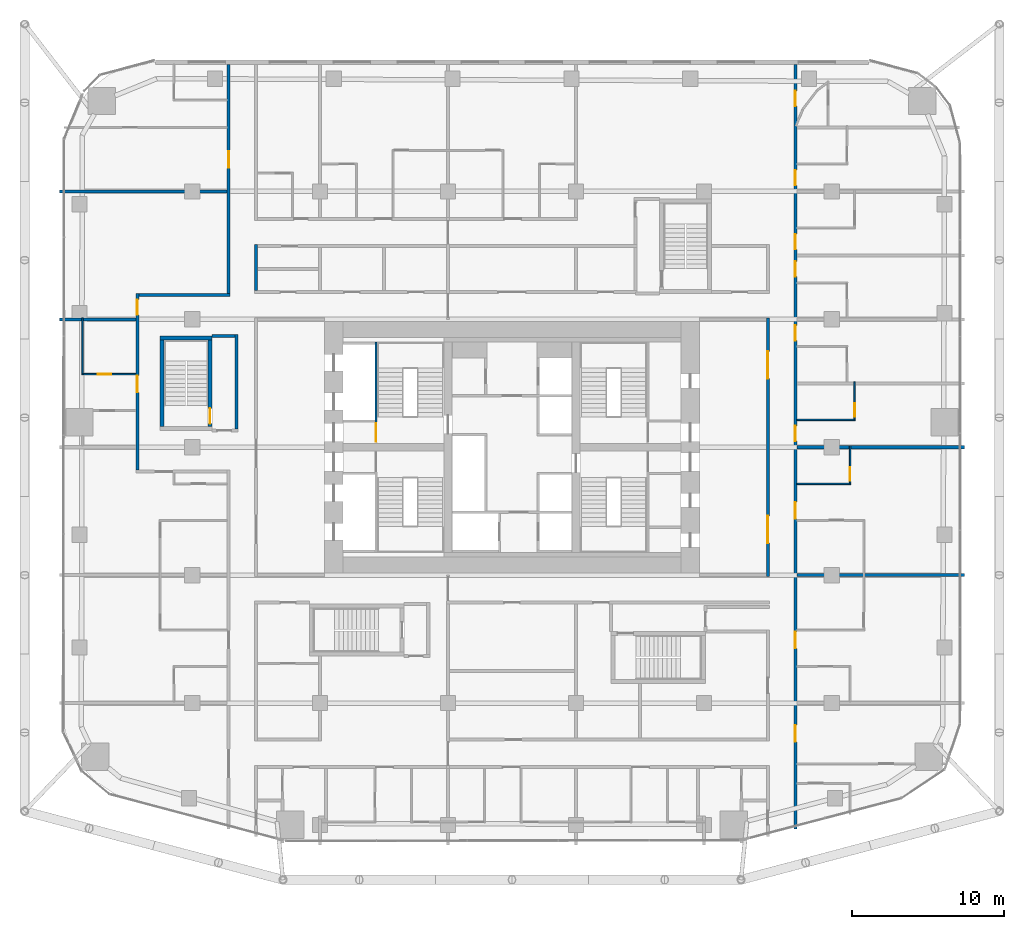
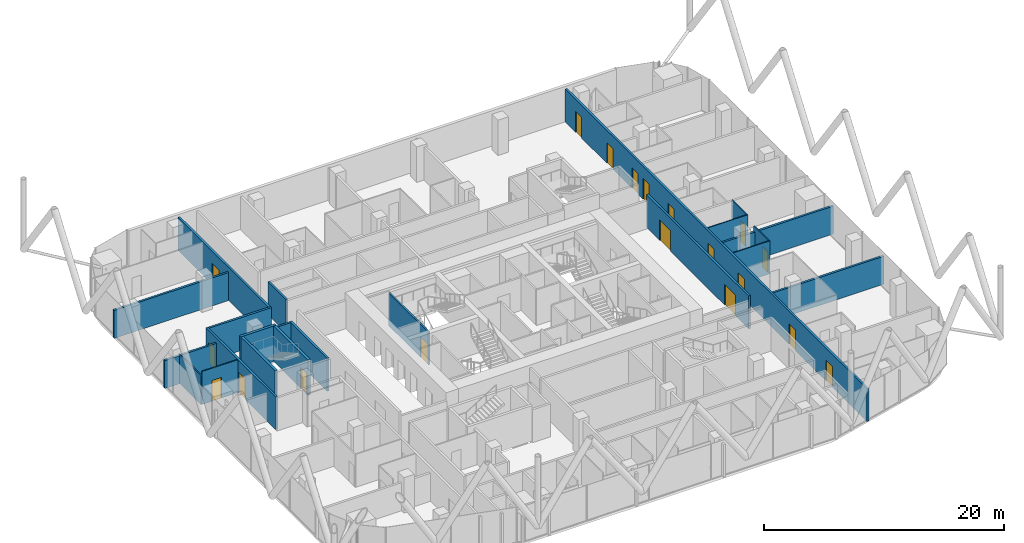
# One storey, part 28 of 34: 22 walls, 19 doors, 19 openings.
"""IFC4 building model written with IfcOpenShell, lengths in metres."""

from ifc_helpers import new_model, si_unit, direction, frame, frame_2d, origin, place, context, subcontext, project, spatial, rectangle, extrude, material, layer, layer_set, type_object, element, fill, save


model = new_model("IFC4")

# Units and contexts
model_context = context("Model", 3, precision=1e-05, world=origin(), true_north=direction((0.0, 1.0)))
body_context = subcontext(model_context, "Body", "Model", "MODEL_VIEW")
ifc_project = project(units=[si_unit("LENGTHUNIT", "METRE"), si_unit("AREAUNIT", "SQUARE_METRE"), si_unit("VOLUMEUNIT", "CUBIC_METRE"), si_unit("PLANEANGLEUNIT", "RADIAN"), si_unit("MASSUNIT", "GRAM", prefix="KILO")], contexts=[model_context])

# Site, building, storey
site_placement = place(None, origin())
site = spatial("IfcSite", under=ifc_project, at=site_placement, CompositionType="ELEMENT")
building_placement = place(site_placement, origin())
building = spatial("IfcBuilding", under=site, at=building_placement, Name="Marenta Gate Hotel Tower", CompositionType="ELEMENT")
storey_placement = place(building_placement, frame((0.0, 0.0, 47.300048828125)))
storey = spatial("IfcBuildingStorey", under=building, at=storey_placement, Name="L09", CompositionType="ELEMENT", Elevation=47.300048828125)

# Wall, openings, doors
ifc_material_1 = material(Name="Concrete blockwork", Category="masonry")
ifc_layer_1 = layer(ifc_material_1, 0.199951171875)
ifc_layer_set_1 = layer_set([ifc_layer_1], Name="Concrete blockwork")
wall_type_1 = type_object("IfcWallType", Name="Core boundary wall 200 REI 180", PredefinedType="PARTITIONING", material=ifc_layer_set_1)
wall_1_placement = place(storey_placement, frame((16.800048828125, -0.10009765625, 0.0), z_axis=(0.0, 0.0, 1.0), x_axis=(0.0, 1.0, 0.0)))
wall_1 = element("IfcWall", 1, at=wall_1_placement, inside=storey, type_object=wall_type_1, Name="L09-CP-BW-E", PredefinedType="PARTITIONING", context=body_context, shape_type="SweptSolid", body=[
    extrude(rectangle(XDim=17.0, YDim=0.199951171875, at=frame_2d((8.5, 0.0))), origin(), (0.0, 0.0, 1.0), 3.33984375),
])
opening_1_placement = place(wall_1_placement, frame((2.199951171875, 0.0, 0.0)))
opening_1 = element("IfcOpeningElement", 2, at=opening_1_placement, cuts=wall_1, Name="Opening ED-Ea-B", PredefinedType="OPENING", context=body_context, shape_type="SweptSolid", body=[
    extrude(rectangle(XDim=1.800048828125, YDim=2.10009765625, at=frame_2d((0.89990234375, 1.050048828125))), frame((0.0, 0.10009765625, 0.0), z_axis=(0.0, -1.0, 0.0), x_axis=(1.0, 0.0, 0.0)), (0.0, 0.0, 1.0), 0.199951171875),
])
opening_2_placement = place(wall_1_placement, frame((13.0, 0.0, 0.0)))
opening_2 = element("IfcOpeningElement", 3, at=opening_2_placement, cuts=wall_1, Name="Opening ED-Eb-B", PredefinedType="OPENING", context=body_context, shape_type="SweptSolid", body=[
    extrude(rectangle(XDim=1.800048828125, YDim=2.10009765625, at=frame_2d((0.89990234375, 1.050048828125))), frame((0.0, 0.10009765625, 0.0), z_axis=(0.0, -1.0, 0.0), x_axis=(1.0, 0.0, 0.0)), (0.0, 0.0, 1.0), 0.199951171875),
])
ifc_material_2 = material(Name="Steel", Category="steel")
door_type_1 = type_object("IfcDoorType", Name="Core lobby entrance door 1800x2100 EI 60", OperationType="DOUBLE_DOOR_SINGLE_SWING", PredefinedType="DOOR", material=ifc_material_2)
door_1_placement = place(opening_1_placement, origin())
door_1 = element("IfcDoor", 4, at=door_1_placement, inside=storey, type_object=door_type_1, Name="ED-Ea-B", OperationType="DOUBLE_DOOR_SINGLE_SWING", OverallHeight=2.10009765625, OverallWidth=1.800048828125, PredefinedType="DOOR", context=body_context, shape_type="SweptSolid", body=[
    extrude(rectangle(XDim=1.800048828125, YDim=2.10009765625, at=frame_2d((0.89990234375, 1.050048828125))), frame((0.0, 0.02490234375, 0.0), z_axis=(0.0, -1.0, 0.0), x_axis=(1.0, 0.0, 0.0)), (0.0, 0.0, 1.0), 0.050048828125),
])
fill(opening_1, door_1)
door_2_placement = place(opening_2_placement, origin())
door_2 = element("IfcDoor", 5, at=door_2_placement, inside=storey, type_object=door_type_1, Name="ED-Eb-B", OperationType="DOUBLE_DOOR_SINGLE_SWING", OverallHeight=2.10009765625, OverallWidth=1.800048828125, PredefinedType="DOOR", context=body_context, shape_type="SweptSolid", body=[
    extrude(rectangle(XDim=1.800048828125, YDim=2.10009765625, at=frame_2d((0.89990234375, 1.050048828125))), frame((0.0, 0.02490234375, 0.0), z_axis=(0.0, -1.0, 0.0), x_axis=(1.0, 0.0, 0.0)), (0.0, 0.0, 1.0), 0.050048828125),
])
fill(opening_2, door_2)

# Wall, opening, door
ifc_material_3 = material(Name="Concrete C40", Category="concrete")
ifc_layer_2 = layer(ifc_material_3, 0.14990234375)
ifc_layer_set_2 = layer_set([ifc_layer_2], Name="Concrete C40")
wall_type_2 = type_object("IfcWallType", Name="Core stair enclosure wall 150 REI 180", PredefinedType="SHEAR", material=ifc_layer_set_2)
wall_2_placement = place(storey_placement, frame((-8.925048828125, 8.699951171875, 0.0), z_axis=(0.0, 0.0, 1.0), x_axis=(0.0, 1.0, 0.0)))
wall_2 = element("IfcWall", 6, at=wall_2_placement, inside=storey, type_object=wall_type_2, Name="L09-SHF-SW-WN-3", PredefinedType="SHEAR", context=body_context, shape_type="SweptSolid", body=[
    extrude(rectangle(XDim=6.60009765625, YDim=0.14990234375, at=frame_2d((3.300048828125, 0.0))), origin(), (0.0, 0.0, 1.0), 3.33984375),
])
opening_3_placement = place(wall_2_placement, frame((0.074951171875, 0.0, 0.0)))
opening_3 = element("IfcOpeningElement", 7, at=opening_3_placement, cuts=wall_2, Name="Opening SD-WN", PredefinedType="OPENING", context=body_context, shape_type="SweptSolid", body=[
    extrude(rectangle(XDim=1.199951171875, YDim=2.10009765625, at=frame_2d((0.60009765625, 1.050048828125))), frame((0.0, 0.074951171875, 0.0), z_axis=(0.0, -1.0, 0.0), x_axis=(1.0, 0.0, 0.0)), (0.0, 0.0, 1.0), 0.14990234375),
])
ifc_material_4 = material(Name="Steel", Category="steel")
door_type_2 = type_object("IfcDoorType", Name="Core stair door 1200x2100 FD60", OperationType="SINGLE_SWING_LEFT", PredefinedType="DOOR", material=ifc_material_4)
door_3_placement = place(opening_3_placement, origin())
door_3 = element("IfcDoor", 8, at=door_3_placement, inside=storey, type_object=door_type_2, Name="SD-WN", OperationType="SINGLE_SWING_LEFT", OverallHeight=2.10009765625, OverallWidth=1.199951171875, PredefinedType="DOOR", context=body_context, shape_type="SweptSolid", body=[
    extrude(rectangle(XDim=1.199951171875, YDim=2.10009765625, at=frame_2d((0.60009765625, 1.050048828125))), frame((0.0, 0.02490234375, 0.0), z_axis=(0.0, -1.0, 0.0), x_axis=(1.0, 0.0, 0.0)), (0.0, 0.0, 1.0), 0.050048828125),
])
fill(opening_3, door_3)

# Walls
ifc_material_5 = material(Name="Concrete C40", Category="concrete")
ifc_layer_3 = layer(ifc_material_5, 0.25)
ifc_layer_set_3 = layer_set([ifc_layer_3], Name="Concrete C40")
wall_type_3 = type_object("IfcWallType", Name="Remote stair enclosure wall 250 REI 180", PredefinedType="SHEAR", material=ifc_layer_set_3)
wall_3_placement = place(storey_placement, frame((-23.10009765625, 15.574951171875, 0.099853515625), z_axis=(0.0, 0.0, 1.0), x_axis=(1.0, 0.0, 0.0)))
element("IfcWall", 9, at=wall_3_placement, inside=storey, type_object=wall_type_3, Name="L09-RS-Z1-3-W2", PredefinedType="SHEAR", context=body_context, shape_type="SweptSolid", body=[
    extrude(rectangle(XDim=3.400146484375, YDim=0.25, at=frame_2d((1.7001953125, 0.0))), origin(), (0.0, 0.0, 1.0), 3.60009765625),
])
wall_4_placement = place(storey_placement, frame((-22.97509765625, 9.75, 0.099853515625), z_axis=(0.0, 0.0, 1.0), x_axis=(0.0, 1.0, 0.0)))
element("IfcWall", 10, at=wall_4_placement, inside=storey, type_object=wall_type_3, Name="L09-RS-Z1-3-W3", PredefinedType="SHEAR", context=body_context, shape_type="SweptSolid", body=[
    extrude(rectangle(XDim=5.699951171875, YDim=0.25, at=frame_2d((2.85009765625, 0.0))), origin(), (0.0, 0.0, 1.0), 3.60009765625),
])

# Wall, opening, door
wall_5_placement = place(storey_placement, frame((-19.824951171875, 9.75, 0.099853515625), z_axis=(0.0, 0.0, 1.0), x_axis=(0.0, 1.0, 0.0)))
wall_5 = element("IfcWall", 11, at=wall_5_placement, inside=storey, type_object=wall_type_3, Name="L09-RS-Z1-3-W4", PredefinedType="SHEAR", context=body_context, shape_type="SweptSolid", body=[
    extrude(rectangle(XDim=5.699951171875, YDim=0.25, at=frame_2d((2.85009765625, 0.0))), origin(), (0.0, 0.0, 1.0), 3.60009765625),
])
opening_4_placement = place(wall_5_placement, frame((0.199951171875, 0.0, 0.0)))
opening_4 = element("IfcOpeningElement", 12, at=opening_4_placement, cuts=wall_5, Name="Opening VD", PredefinedType="OPENING", context=body_context, shape_type="SweptSolid", body=[
    extrude(rectangle(XDim=1.0, YDim=2.10009765625, at=frame_2d((0.5, 1.050048828125))), frame((0.0, 0.125, 0.0), z_axis=(0.0, -1.0, 0.0), x_axis=(1.0, 0.0, 0.0)), (0.0, 0.0, 1.0), 0.25),
])
ifc_material_6 = material(Name="Steel", Category="steel")
door_type_3 = type_object("IfcDoorType", Name="Stair vestibule door 1000x2100 FD60", OperationType="SINGLE_SWING_LEFT", PredefinedType="DOOR", material=ifc_material_6)
door_4_placement = place(opening_4_placement, origin())
door_4 = element("IfcDoor", 13, at=door_4_placement, inside=storey, type_object=door_type_3, Name="VD", OperationType="SINGLE_SWING_LEFT", OverallHeight=2.10009765625, OverallWidth=1.0, PredefinedType="DOOR", context=body_context, shape_type="SweptSolid", body=[
    extrude(rectangle(XDim=1.0, YDim=2.10009765625, at=frame_2d((0.5, 1.050048828125))), frame((0.0, 0.02490234375, 0.0), z_axis=(0.0, -1.0, 0.0), x_axis=(1.0, 0.0, 0.0)), (0.0, 0.0, 1.0), 0.050048828125),
])
fill(opening_4, door_4)

# Wall
ifc_material_7 = material(Name="Concrete blockwork", Category="masonry")
ifc_layer_4 = layer(ifc_material_7, 0.199951171875)
ifc_layer_set_4 = layer_set([ifc_layer_4], Name="Concrete blockwork")
wall_type_4 = type_object("IfcWallType", Name="Room corridor wall 200 EI 120", PredefinedType="PARTITIONING", material=ifc_layer_set_4)
wall_6_placement = place(storey_placement, frame((-24.5, 18.39990234375, 0.0), z_axis=(0.0, 0.0, 1.0), x_axis=(1.0, 0.0, 0.0)))
element("IfcWall", 14, at=wall_6_placement, inside=storey, type_object=wall_type_4, Name="L09-PTN-W106", PredefinedType="PARTITIONING", context=body_context, shape_type="SweptSolid", body=[
    extrude(rectangle(XDim=6.0, YDim=0.199951171875, at=frame_2d((3.0, 0.0))), origin(), (0.0, 0.0, 1.0), 3.33984375),
])

# Wall, opening, door
wall_7_placement = place(storey_placement, frame((-18.60009765625, 18.5, 0.0), z_axis=(0.0, 0.0, 1.0), x_axis=(0.0, 1.0, 0.0)))
wall_7 = element("IfcWall", 15, at=wall_7_placement, inside=storey, type_object=wall_type_4, Name="L09-PTN-W109", PredefinedType="PARTITIONING", context=body_context, shape_type="SweptSolid", body=[
    extrude(rectangle(XDim=15.0400390625, YDim=0.199951171875, at=frame_2d((7.52001953125, 0.0))), origin(), (0.0, 0.0, 1.0), 3.33984375),
])
opening_5_placement = place(wall_7_placement, frame((8.25, 0.0, 0.0)))
opening_5 = element("IfcOpeningElement", 16, at=opening_5_placement, cuts=wall_7, Name="Opening G03-55", PredefinedType="OPENING", context=body_context, shape_type="SweptSolid", body=[
    extrude(rectangle(XDim=1.10009765625, YDim=2.10009765625, at=frame_2d((0.550048828125, 1.050048828125))), frame((0.0, 0.10009765625, 0.0), z_axis=(0.0, -1.0, 0.0), x_axis=(1.0, 0.0, 0.0)), (0.0, 0.0, 1.0), 0.199951171875),
])
ifc_material_8 = material(Name="Timber door leaf", Category="wood")
door_type_4 = type_object("IfcDoorType", Name="Guest room door 1100x2100 EI 60", OperationType="NOTDEFINED", PredefinedType="DOOR", material=ifc_material_8)
door_5_placement = place(opening_5_placement, origin())
door_5 = element("IfcDoor", 17, at=door_5_placement, inside=storey, type_object=door_type_4, Name="L09-PD-D055", OperationType="SINGLE_SWING_RIGHT", OverallHeight=2.10009765625, OverallWidth=1.10009765625, PredefinedType="DOOR", context=body_context, shape_type="SweptSolid", body=[
    extrude(rectangle(XDim=1.10009765625, YDim=2.10009765625, at=frame_2d((0.550048828125, 1.050048828125))), frame((0.0, 0.02490234375, 0.0), z_axis=(0.0, -1.0, 0.0), x_axis=(1.0, 0.0, 0.0)), (0.0, 0.0, 1.0), 0.050048828125),
])
fill(opening_5, door_5)

# Wall, openings, doors
wall_8_placement = place(storey_placement, frame((-24.60009765625, 6.89990234375, 0.0), z_axis=(0.0, 0.0, 1.0), x_axis=(0.0, 1.0, 0.0)))
wall_8 = element("IfcWall", 18, at=wall_8_placement, inside=storey, type_object=wall_type_4, Name="L09-PTN-W123", PredefinedType="PARTITIONING", context=body_context, shape_type="SweptSolid", body=[
    extrude(rectangle(XDim=11.60009765625, YDim=0.199951171875, at=frame_2d((5.800048828125, 0.0))), origin(), (0.0, 0.0, 1.0), 3.33984375),
])
opening_6_placement = place(wall_8_placement, frame((5.10009765625, 0.0, 0.0)))
opening_6 = element("IfcOpeningElement", 19, at=opening_6_placement, cuts=wall_8, Name="Opening G03-52", PredefinedType="OPENING", context=body_context, shape_type="SweptSolid", body=[
    extrude(rectangle(XDim=1.10009765625, YDim=2.10009765625, at=frame_2d((0.550048828125, 1.050048828125))), frame((0.0, 0.10009765625, 0.0), z_axis=(0.0, -1.0, 0.0), x_axis=(1.0, 0.0, 0.0)), (0.0, 0.0, 1.0), 0.199951171875),
])
opening_7_placement = place(wall_8_placement, frame((10.199951171875, 0.0, 0.0)))
opening_7 = element("IfcOpeningElement", 20, at=opening_7_placement, cuts=wall_8, Name="Opening G03-62", PredefinedType="OPENING", context=body_context, shape_type="SweptSolid", body=[
    extrude(rectangle(XDim=1.0, YDim=2.10009765625, at=frame_2d((0.5, 1.050048828125))), frame((0.0, 0.10009765625, 0.0), z_axis=(0.0, -1.0, 0.0), x_axis=(1.0, 0.0, 0.0)), (0.0, 0.0, 1.0), 0.199951171875),
])
door_6_placement = place(opening_6_placement, origin())
door_6 = element("IfcDoor", 21, at=door_6_placement, inside=storey, type_object=door_type_4, Name="L09-PD-D052", OperationType="SINGLE_SWING_RIGHT", OverallHeight=2.10009765625, OverallWidth=1.10009765625, PredefinedType="DOOR", context=body_context, shape_type="SweptSolid", body=[
    extrude(rectangle(XDim=1.10009765625, YDim=2.10009765625, at=frame_2d((0.550048828125, 1.050048828125))), frame((0.0, 0.02490234375, 0.0), z_axis=(0.0, -1.0, 0.0), x_axis=(1.0, 0.0, 0.0)), (0.0, 0.0, 1.0), 0.050048828125),
])
fill(opening_6, door_6)
ifc_material_9 = material(Name="Hollow steel door set", Category="steel")
door_type_5 = type_object("IfcDoorType", Name="Room service door 1000x2100 EI 60", OperationType="NOTDEFINED", PredefinedType="DOOR", material=ifc_material_9)
door_7_placement = place(opening_7_placement, origin())
door_7 = element("IfcDoor", 22, at=door_7_placement, inside=storey, type_object=door_type_5, Name="L09-PD-D062", OperationType="SINGLE_SWING_RIGHT", OverallHeight=2.10009765625, OverallWidth=1.0, PredefinedType="DOOR", context=body_context, shape_type="SweptSolid", body=[
    extrude(rectangle(XDim=1.0, YDim=2.10009765625, at=frame_2d((0.5, 1.050048828125))), frame((0.0, 0.02490234375, 0.0), z_axis=(0.0, -1.0, 0.0), x_axis=(1.0, 0.0, 0.0)), (0.0, 0.0, 1.0), 0.050048828125),
])
fill(opening_7, door_7)

ifc_material_10 = material(Name="Gypsum board on steel stud", Category="steel")
ifc_layer_5 = layer(ifc_material_10, 0.199951171875)
ifc_layer_set_5 = layer_set([ifc_layer_5], Name="Gypsum board on steel stud")
wall_type_5 = type_object("IfcWallType", Name="Room corridor wall 200 EI 60", PredefinedType="PARTITIONING", material=ifc_layer_set_5)
wall_9_placement = place(storey_placement, frame((18.60009765625, -16.6650390625, 0.0), z_axis=(0.0, 0.0, 1.0), x_axis=(0.0, 1.0, 0.0)))
wall_9 = element("IfcWall", 23, at=wall_9_placement, inside=storey, type_object=wall_type_5, Name="L09-PTN-W011", PredefinedType="PARTITIONING", context=body_context, shape_type="SweptSolid", body=[
    extrude(rectangle(XDim=50.205078125, YDim=0.199951171875, at=frame_2d((25.1025390625, 0.0))), origin(), (0.0, 0.0, 1.0), 3.33984375),
])
opening_8_placement = place(wall_9_placement, frame((5.72412109375, 0.0, 0.0)))
opening_8 = element("IfcOpeningElement", 24, at=opening_8_placement, cuts=wall_9, Name="Opening G03-07", PredefinedType="OPENING", context=body_context, shape_type="SweptSolid", body=[
    extrude(rectangle(XDim=1.10009765625, YDim=2.10009765625, at=frame_2d((0.550048828125, 1.050048828125))), frame((0.0, 0.10009765625, 0.0), z_axis=(0.0, -1.0, 0.0), x_axis=(1.0, 0.0, 0.0)), (0.0, 0.0, 1.0), 0.199951171875),
])
opening_9_placement = place(wall_9_placement, frame((11.864990234375, 0.0, 0.0)))
opening_9 = element("IfcOpeningElement", 25, at=opening_9_placement, cuts=wall_9, Name="Opening G03-10", PredefinedType="OPENING", context=body_context, shape_type="SweptSolid", body=[
    extrude(rectangle(XDim=1.10009765625, YDim=2.10009765625, at=frame_2d((0.550048828125, 1.050048828125))), frame((0.0, 0.10009765625, 0.0), z_axis=(0.0, -1.0, 0.0), x_axis=(1.0, 0.0, 0.0)), (0.0, 0.0, 1.0), 0.199951171875),
])
opening_10_placement = place(wall_9_placement, frame((20.364990234375, 0.0, 0.0)))
opening_10 = element("IfcOpeningElement", 26, at=opening_10_placement, cuts=wall_9, Name="Opening G03-13", PredefinedType="OPENING", context=body_context, shape_type="SweptSolid", body=[
    extrude(rectangle(XDim=1.10009765625, YDim=2.10009765625, at=frame_2d((0.550048828125, 1.050048828125))), frame((0.0, 0.10009765625, 0.0), z_axis=(0.0, -1.0, 0.0), x_axis=(1.0, 0.0, 0.0)), (0.0, 0.0, 1.0), 0.199951171875),
])
opening_11_placement = place(wall_9_placement, frame((25.465087890625, 0.0, 0.0)))
opening_11 = element("IfcOpeningElement", 27, at=opening_11_placement, cuts=wall_9, Name="Opening G03-16", PredefinedType="OPENING", context=body_context, shape_type="SweptSolid", body=[
    extrude(rectangle(XDim=1.0, YDim=2.10009765625, at=frame_2d((0.5, 1.050048828125))), frame((0.0, 0.10009765625, 0.0), z_axis=(0.0, -1.0, 0.0), x_axis=(1.0, 0.0, 0.0)), (0.0, 0.0, 1.0), 0.199951171875),
])
opening_12_placement = place(wall_9_placement, frame((32.06494140625, 0.0, 0.0)))
opening_12 = element("IfcOpeningElement", 28, at=opening_12_placement, cuts=wall_9, Name="Opening G03-18", PredefinedType="OPENING", context=body_context, shape_type="SweptSolid", body=[
    extrude(rectangle(XDim=1.0, YDim=2.10009765625, at=frame_2d((0.5, 1.050048828125))), frame((0.0, 0.10009765625, 0.0), z_axis=(0.0, -1.0, 0.0), x_axis=(1.0, 0.0, 0.0)), (0.0, 0.0, 1.0), 0.199951171875),
])
opening_13_placement = place(wall_9_placement, frame((36.264892578125, 0.0, 0.0)))
opening_13 = element("IfcOpeningElement", 29, at=opening_13_placement, cuts=wall_9, Name="Opening G03-20", PredefinedType="OPENING", context=body_context, shape_type="SweptSolid", body=[
    extrude(rectangle(XDim=1.0, YDim=2.10009765625, at=frame_2d((0.5, 1.050048828125))), frame((0.0, 0.10009765625, 0.0), z_axis=(0.0, -1.0, 0.0), x_axis=(1.0, 0.0, 0.0)), (0.0, 0.0, 1.0), 0.199951171875),
])
opening_14_placement = place(wall_9_placement, frame((38.06494140625, 0.0, 0.0)))
opening_14 = element("IfcOpeningElement", 30, at=opening_14_placement, cuts=wall_9, Name="Opening G03-22", PredefinedType="OPENING", context=body_context, shape_type="SweptSolid", body=[
    extrude(rectangle(XDim=1.0, YDim=2.10009765625, at=frame_2d((0.5, 1.050048828125))), frame((0.0, 0.10009765625, 0.0), z_axis=(0.0, -1.0, 0.0), x_axis=(1.0, 0.0, 0.0)), (0.0, 0.0, 1.0), 0.199951171875),
])
opening_15_placement = place(wall_9_placement, frame((42.264892578125, 0.0, 0.0)))
opening_15 = element("IfcOpeningElement", 31, at=opening_15_placement, cuts=wall_9, Name="Opening G03-24", PredefinedType="OPENING", context=body_context, shape_type="SweptSolid", body=[
    extrude(rectangle(XDim=1.0, YDim=2.10009765625, at=frame_2d((0.5, 1.050048828125))), frame((0.0, 0.10009765625, 0.0), z_axis=(0.0, -1.0, 0.0), x_axis=(1.0, 0.0, 0.0)), (0.0, 0.0, 1.0), 0.199951171875),
])
opening_16_placement = place(wall_9_placement, frame((47.465087890625, 0.0, 0.0)))
opening_16 = element("IfcOpeningElement", 32, at=opening_16_placement, cuts=wall_9, Name="Opening G03-26", PredefinedType="OPENING", context=body_context, shape_type="SweptSolid", body=[
    extrude(rectangle(XDim=1.0, YDim=2.10009765625, at=frame_2d((0.5, 1.050048828125))), frame((0.0, 0.10009765625, 0.0), z_axis=(0.0, -1.0, 0.0), x_axis=(1.0, 0.0, 0.0)), (0.0, 0.0, 1.0), 0.199951171875),
])
ifc_material_11 = material(Name="Timber door leaf", Category="wood")
door_type_6 = type_object("IfcDoorType", Name="Guest room door 1000x2100 EI 30", OperationType="NOTDEFINED", PredefinedType="DOOR", material=ifc_material_11)
door_8_placement = place(opening_11_placement, origin())
door_8 = element("IfcDoor", 33, at=door_8_placement, inside=storey, type_object=door_type_6, Name="L09-PD-D016", OperationType="SINGLE_SWING_RIGHT", OverallHeight=2.10009765625, OverallWidth=1.0, PredefinedType="DOOR", context=body_context, shape_type="SweptSolid", body=[
    extrude(rectangle(XDim=1.0, YDim=2.10009765625, at=frame_2d((0.5, 1.050048828125))), frame((0.0, 0.02490234375, 0.0), z_axis=(0.0, -1.0, 0.0), x_axis=(1.0, 0.0, 0.0)), (0.0, 0.0, 1.0), 0.050048828125),
])
fill(opening_11, door_8)
door_9_placement = place(opening_12_placement, origin())
door_9 = element("IfcDoor", 34, at=door_9_placement, inside=storey, type_object=door_type_6, Name="L09-PD-D018", OperationType="SINGLE_SWING_RIGHT", OverallHeight=2.10009765625, OverallWidth=1.0, PredefinedType="DOOR", context=body_context, shape_type="SweptSolid", body=[
    extrude(rectangle(XDim=1.0, YDim=2.10009765625, at=frame_2d((0.5, 1.050048828125))), frame((0.0, 0.02490234375, 0.0), z_axis=(0.0, -1.0, 0.0), x_axis=(1.0, 0.0, 0.0)), (0.0, 0.0, 1.0), 0.050048828125),
])
fill(opening_12, door_9)
door_10_placement = place(opening_13_placement, origin())
door_10 = element("IfcDoor", 35, at=door_10_placement, inside=storey, type_object=door_type_6, Name="L09-PD-D020", OperationType="SINGLE_SWING_RIGHT", OverallHeight=2.10009765625, OverallWidth=1.0, PredefinedType="DOOR", context=body_context, shape_type="SweptSolid", body=[
    extrude(rectangle(XDim=1.0, YDim=2.10009765625, at=frame_2d((0.5, 1.050048828125))), frame((0.0, 0.02490234375, 0.0), z_axis=(0.0, -1.0, 0.0), x_axis=(1.0, 0.0, 0.0)), (0.0, 0.0, 1.0), 0.050048828125),
])
fill(opening_13, door_10)
door_11_placement = place(opening_14_placement, origin())
door_11 = element("IfcDoor", 36, at=door_11_placement, inside=storey, type_object=door_type_6, Name="L09-PD-D022", OperationType="SINGLE_SWING_RIGHT", OverallHeight=2.10009765625, OverallWidth=1.0, PredefinedType="DOOR", context=body_context, shape_type="SweptSolid", body=[
    extrude(rectangle(XDim=1.0, YDim=2.10009765625, at=frame_2d((0.5, 1.050048828125))), frame((0.0, 0.02490234375, 0.0), z_axis=(0.0, -1.0, 0.0), x_axis=(1.0, 0.0, 0.0)), (0.0, 0.0, 1.0), 0.050048828125),
])
fill(opening_14, door_11)
door_12_placement = place(opening_15_placement, origin())
door_12 = element("IfcDoor", 37, at=door_12_placement, inside=storey, type_object=door_type_6, Name="L09-PD-D024", OperationType="SINGLE_SWING_RIGHT", OverallHeight=2.10009765625, OverallWidth=1.0, PredefinedType="DOOR", context=body_context, shape_type="SweptSolid", body=[
    extrude(rectangle(XDim=1.0, YDim=2.10009765625, at=frame_2d((0.5, 1.050048828125))), frame((0.0, 0.02490234375, 0.0), z_axis=(0.0, -1.0, 0.0), x_axis=(1.0, 0.0, 0.0)), (0.0, 0.0, 1.0), 0.050048828125),
])
fill(opening_15, door_12)
door_13_placement = place(opening_16_placement, origin())
door_13 = element("IfcDoor", 38, at=door_13_placement, inside=storey, type_object=door_type_6, Name="L09-PD-D026", OperationType="SINGLE_SWING_RIGHT", OverallHeight=2.10009765625, OverallWidth=1.0, PredefinedType="DOOR", context=body_context, shape_type="SweptSolid", body=[
    extrude(rectangle(XDim=1.0, YDim=2.10009765625, at=frame_2d((0.5, 1.050048828125))), frame((0.0, 0.02490234375, 0.0), z_axis=(0.0, -1.0, 0.0), x_axis=(1.0, 0.0, 0.0)), (0.0, 0.0, 1.0), 0.050048828125),
])
fill(opening_16, door_13)
ifc_material_12 = material(Name="Timber door leaf", Category="wood")
door_type_7 = type_object("IfcDoorType", Name="Guest room door 1100x2100 EI 30", OperationType="NOTDEFINED", PredefinedType="DOOR", material=ifc_material_12)
door_14_placement = place(opening_8_placement, origin())
door_14 = element("IfcDoor", 39, at=door_14_placement, inside=storey, type_object=door_type_7, Name="L09-PD-D007", OperationType="SINGLE_SWING_LEFT", OverallHeight=2.10009765625, OverallWidth=1.10009765625, PredefinedType="DOOR", context=body_context, shape_type="SweptSolid", body=[
    extrude(rectangle(XDim=1.10009765625, YDim=2.10009765625, at=frame_2d((0.550048828125, 1.050048828125))), frame((0.0, 0.02490234375, 0.0), z_axis=(0.0, -1.0, 0.0), x_axis=(1.0, 0.0, 0.0)), (0.0, 0.0, 1.0), 0.050048828125),
])
fill(opening_8, door_14)
door_15_placement = place(opening_9_placement, origin())
door_15 = element("IfcDoor", 40, at=door_15_placement, inside=storey, type_object=door_type_7, Name="L09-PD-D010", OperationType="SINGLE_SWING_LEFT", OverallHeight=2.10009765625, OverallWidth=1.10009765625, PredefinedType="DOOR", context=body_context, shape_type="SweptSolid", body=[
    extrude(rectangle(XDim=1.10009765625, YDim=2.10009765625, at=frame_2d((0.550048828125, 1.050048828125))), frame((0.0, 0.02490234375, 0.0), z_axis=(0.0, -1.0, 0.0), x_axis=(1.0, 0.0, 0.0)), (0.0, 0.0, 1.0), 0.050048828125),
])
fill(opening_9, door_15)
door_16_placement = place(opening_10_placement, origin())
door_16 = element("IfcDoor", 41, at=door_16_placement, inside=storey, type_object=door_type_7, Name="L09-PD-D013", OperationType="SINGLE_SWING_RIGHT", OverallHeight=2.10009765625, OverallWidth=1.10009765625, PredefinedType="DOOR", context=body_context, shape_type="SweptSolid", body=[
    extrude(rectangle(XDim=1.10009765625, YDim=2.10009765625, at=frame_2d((0.550048828125, 1.050048828125))), frame((0.0, 0.02490234375, 0.0), z_axis=(0.0, -1.0, 0.0), x_axis=(1.0, 0.0, 0.0)), (0.0, 0.0, 1.0), 0.050048828125),
])
fill(opening_10, door_16)

# Walls
wall_10_placement = place(storey_placement, frame((-16.800048828125, 18.699951171875, 0.0), z_axis=(0.0, 0.0, 1.0), x_axis=(0.0, 1.0, 0.0)))
element("IfcWall", 42, at=wall_10_placement, inside=storey, type_object=wall_type_5, Name="L09-PTN-W101", PredefinedType="PARTITIONING", context=body_context, shape_type="SweptSolid", body=[
    extrude(rectangle(XDim=3.0, YDim=0.199951171875, at=frame_2d((1.5, 0.0))), origin(), (0.0, 0.0, 1.0), 3.33984375),
])
ifc_material_13 = material(Name="Concrete blockwork", Category="masonry")
ifc_layer_6 = layer(ifc_material_13, 0.199951171875)
ifc_layer_set_6 = layer_set([ifc_layer_6], Name="Concrete blockwork")
wall_type_6 = type_object("IfcWallType", Name="Room corridor wall 200 REI 180", PredefinedType="PARTITIONING", material=ifc_layer_set_6)
wall_11_placement = place(storey_placement, frame((-19.699951171875, 15.699951171875, 0.0), z_axis=(0.0, 0.0, 1.0), x_axis=(1.0, 0.0, 0.0)))
element("IfcWall", 43, at=wall_11_placement, inside=storey, type_object=wall_type_6, Name="L09-PTN-W098", PredefinedType="PARTITIONING", context=body_context, shape_type="SweptSolid", body=[
    extrude(rectangle(XDim=1.5, YDim=0.199951171875, at=frame_2d((0.75, 0.0))), origin(), (0.0, 0.0, 1.0), 3.33984375),
])
wall_12_placement = place(storey_placement, frame((-18.10009765625, 9.60009765625, 0.0), z_axis=(0.0, 0.0, 1.0), x_axis=(0.0, 1.0, 0.0)))
element("IfcWall", 44, at=wall_12_placement, inside=storey, type_object=wall_type_6, Name="L09-PTN-W105", PredefinedType="PARTITIONING", context=body_context, shape_type="SweptSolid", body=[
    extrude(rectangle(XDim=6.199951171875, YDim=0.199951171875, at=frame_2d((3.10009765625, 0.0))), origin(), (0.0, 0.0, 1.0), 3.33984375),
])

# Wall, opening, door
ifc_material_14 = material(Name="Gypsum board on steel stud", Category="steel")
ifc_layer_7 = layer(ifc_material_14, 0.10009765625)
ifc_layer_set_7 = layer_set([ifc_layer_7], Name="Gypsum board on steel stud")
wall_type_7 = type_object("IfcWallType", Name="Room partition 100", PredefinedType="PARTITIONING", material=ifc_layer_set_7)
wall_13_placement = place(storey_placement, frame((22.5, 10.25, 0.0), z_axis=(0.0, 0.0, 1.0), x_axis=(0.0, 1.0, 0.0)))
wall_13 = element("IfcWall", 45, at=wall_13_placement, inside=storey, type_object=wall_type_7, Name="L09-PTN-W002", PredefinedType="PARTITIONING", context=body_context, shape_type="SweptSolid", body=[
    extrude(rectangle(XDim=2.449951171875, YDim=0.10009765625, at=frame_2d((1.22509765625, 0.0))), origin(), (0.0, 0.0, 1.0), 3.33984375),
])
opening_17_placement = place(wall_13_placement, frame((0.14990234375, 0.0, 0.0)))
opening_17 = element("IfcOpeningElement", 46, at=opening_17_placement, cuts=wall_13, Name="Opening G03-17", PredefinedType="OPENING", context=body_context, shape_type="SweptSolid", body=[
    extrude(rectangle(XDim=0.89990234375, YDim=2.10009765625, at=frame_2d((0.449951171875, 1.050048828125))), frame((0.0, 0.050048828125, 0.0), z_axis=(0.0, -1.0, 0.0), x_axis=(1.0, 0.0, 0.0)), (0.0, 0.0, 1.0), 0.10009765625),
])
ifc_material_15 = material(Name="Timber door leaf", Category="wood")
door_type_8 = type_object("IfcDoorType", Name="Guest bathroom door 900x2100", OperationType="NOTDEFINED", PredefinedType="DOOR", material=ifc_material_15)
door_17_placement = place(opening_17_placement, origin())
door_17 = element("IfcDoor", 47, at=door_17_placement, inside=storey, type_object=door_type_8, Name="L09-PD-D017", OperationType="SINGLE_SWING_LEFT", OverallHeight=2.10009765625, OverallWidth=0.89990234375, PredefinedType="DOOR", context=body_context, shape_type="SweptSolid", body=[
    extrude(rectangle(XDim=0.89990234375, YDim=2.10009765625, at=frame_2d((0.449951171875, 1.050048828125))), frame((0.0, 0.02490234375, 0.0), z_axis=(0.0, -1.0, 0.0), x_axis=(1.0, 0.0, 0.0)), (0.0, 0.0, 1.0), 0.050048828125),
])
fill(opening_17, door_17)

wall_14_placement = place(storey_placement, frame((22.199951171875, 6.050048828125, 0.0), z_axis=(0.0, 0.0, 1.0), x_axis=(0.0, 1.0, 0.0)))
wall_14 = element("IfcWall", 48, at=wall_14_placement, inside=storey, type_object=wall_type_7, Name="L09-PTN-W006", PredefinedType="PARTITIONING", context=body_context, shape_type="SweptSolid", body=[
    extrude(rectangle(XDim=2.449951171875, YDim=0.10009765625, at=frame_2d((1.22509765625, 0.0))), origin(), (0.0, 0.0, 1.0), 3.33984375),
])
opening_18_placement = place(wall_14_placement, frame((0.14990234375, 0.0, 0.0)))
opening_18 = element("IfcOpeningElement", 49, at=opening_18_placement, cuts=wall_14, Name="Opening G03-15", PredefinedType="OPENING", context=body_context, shape_type="SweptSolid", body=[
    extrude(rectangle(XDim=0.89990234375, YDim=2.10009765625, at=frame_2d((0.449951171875, 1.050048828125))), frame((0.0, 0.050048828125, 0.0), z_axis=(0.0, -1.0, 0.0), x_axis=(1.0, 0.0, 0.0)), (0.0, 0.0, 1.0), 0.10009765625),
])
ifc_material_16 = material(Name="Timber door leaf", Category="wood")
door_type_9 = type_object("IfcDoorType", Name="Room inner door 900x2100", OperationType="NOTDEFINED", PredefinedType="DOOR", material=ifc_material_16)
door_18_placement = place(opening_18_placement, origin())
door_18 = element("IfcDoor", 50, at=door_18_placement, inside=storey, type_object=door_type_9, Name="L09-PD-D015", OperationType="SINGLE_SWING_LEFT", OverallHeight=2.10009765625, OverallWidth=0.89990234375, PredefinedType="DOOR", context=body_context, shape_type="SweptSolid", body=[
    extrude(rectangle(XDim=0.89990234375, YDim=2.10009765625, at=frame_2d((0.449951171875, 1.050048828125))), frame((0.0, 0.02490234375, 0.0), z_axis=(0.0, -1.0, 0.0), x_axis=(1.0, 0.0, 0.0)), (0.0, 0.0, 1.0), 0.050048828125),
])
fill(opening_18, door_18)

# Walls
wall_15_placement = place(storey_placement, frame((18.699951171875, 6.0, 0.0), z_axis=(0.0, 0.0, 1.0), x_axis=(1.0, 0.0, 0.0)))
element("IfcWall", 51, at=wall_15_placement, inside=storey, type_object=wall_type_7, Name="L09-PTN-W074", PredefinedType="PARTITIONING", context=body_context, shape_type="SweptSolid", body=[
    extrude(rectangle(XDim=3.550048828125, YDim=0.10009765625, at=frame_2d((1.77490234375, 0.0))), origin(), (0.0, 0.0, 1.0), 3.33984375),
])
wall_16_placement = place(storey_placement, frame((18.699951171875, 10.199951171875, 0.0), z_axis=(0.0, 0.0, 1.0), x_axis=(1.0, 0.0, 0.0)))
element("IfcWall", 52, at=wall_16_placement, inside=storey, type_object=wall_type_7, Name="L09-PTN-W084", PredefinedType="PARTITIONING", context=body_context, shape_type="SweptSolid", body=[
    extrude(rectangle(XDim=3.85009765625, YDim=0.10009765625, at=frame_2d((1.925048828125, 0.0))), origin(), (0.0, 0.0, 1.0), 3.33984375),
])

# Wall, opening, door
wall_17_placement = place(storey_placement, frame((-28.14990234375, 13.199951171875, 0.0), z_axis=(0.0, 0.0, 1.0), x_axis=(1.0, 0.0, 0.0)))
wall_17 = element("IfcWall", 53, at=wall_17_placement, inside=storey, type_object=wall_type_7, Name="L09-PTN-W093", PredefinedType="PARTITIONING", context=body_context, shape_type="SweptSolid", body=[
    extrude(rectangle(XDim=3.449951171875, YDim=0.10009765625, at=frame_2d((1.72509765625, 0.0))), origin(), (0.0, 0.0, 1.0), 3.33984375),
])
opening_19_placement = place(wall_17_placement, frame((0.93994140625, 0.0, 0.0)))
opening_19 = element("IfcOpeningElement", 54, at=opening_19_placement, cuts=wall_17, Name="Opening G03-53", PredefinedType="OPENING", context=body_context, shape_type="SweptSolid", body=[
    extrude(rectangle(XDim=0.89990234375, YDim=2.10009765625, at=frame_2d((0.449951171875, 1.050048828125))), frame((0.0, 0.050048828125, 0.0), z_axis=(0.0, -1.0, 0.0), x_axis=(1.0, 0.0, 0.0)), (0.0, 0.0, 1.0), 0.10009765625),
])
door_19_placement = place(opening_19_placement, origin())
door_19 = element("IfcDoor", 55, at=door_19_placement, inside=storey, type_object=door_type_8, Name="L09-PD-D053", OperationType="SINGLE_SWING_LEFT", OverallHeight=2.10009765625, OverallWidth=0.89990234375, PredefinedType="DOOR", context=body_context, shape_type="SweptSolid", body=[
    extrude(rectangle(XDim=0.89990234375, YDim=2.10009765625, at=frame_2d((0.449951171875, 1.050048828125))), frame((0.0, 0.02490234375, 0.0), z_axis=(0.0, -1.0, 0.0), x_axis=(1.0, 0.0, 0.0)), (0.0, 0.0, 1.0), 0.050048828125),
])
fill(opening_19, door_19)

# Walls
wall_18_placement = place(storey_placement, frame((-28.199951171875, 13.14990234375, 0.0), z_axis=(0.0, 0.0, 1.0), x_axis=(0.0, 1.0, 0.0)))
element("IfcWall", 56, at=wall_18_placement, inside=storey, type_object=wall_type_7, Name="L09-PTN-W133", PredefinedType="PARTITIONING", context=body_context, shape_type="SweptSolid", body=[
    extrude(rectangle(XDim=3.75, YDim=0.10009765625, at=frame_2d((1.875, 0.0))), origin(), (0.0, 0.0, 1.0), 2.93994140625),
])
ifc_material_17 = material(Name="Concrete blockwork", Category="masonry")
ifc_layer_8 = layer(ifc_material_17, 0.199951171875)
ifc_layer_set_8 = layer_set([ifc_layer_8], Name="Concrete blockwork")
wall_type_8 = type_object("IfcWallType", Name="Room party wall 200 EI 120", PredefinedType="PARTITIONING", material=ifc_layer_set_8)
wall_19_placement = place(storey_placement, frame((-29.699951171875, 16.800048828125, 0.0), z_axis=(0.0, 0.0, 1.0), x_axis=(1.0, 0.0, 0.0)))
element("IfcWall", 57, at=wall_19_placement, inside=storey, type_object=wall_type_8, Name="L09-PTN-W103", PredefinedType="PARTITIONING", context=body_context, shape_type="SweptSolid", body=[
    extrude(rectangle(XDim=5.0, YDim=0.199951171875, at=frame_2d((2.5, 0.0))), origin(), (0.0, 0.0, 1.0), 2.83984375),
])
wall_20_placement = place(storey_placement, frame((-29.699951171875, 25.199951171875, 0.0), z_axis=(0.0, 0.0, 1.0), x_axis=(1.0, 0.0, 0.0)))
element("IfcWall", 58, at=wall_20_placement, inside=storey, type_object=wall_type_8, Name="L09-PTN-W125", PredefinedType="PARTITIONING", context=body_context, shape_type="SweptSolid", body=[
    extrude(rectangle(XDim=11.0, YDim=0.199951171875, at=frame_2d((5.5, 0.0))), origin(), (0.0, 0.0, 1.0), 2.83984375),
])
ifc_material_18 = material(Name="Gypsum board on steel stud", Category="steel")
ifc_layer_9 = layer(ifc_material_18, 0.199951171875)
ifc_layer_set_9 = layer_set([ifc_layer_9], Name="Gypsum board on steel stud")
wall_type_9 = type_object("IfcWallType", Name="Room party wall 200 EI 60", PredefinedType="PARTITIONING", material=ifc_layer_set_9)
for number, where, z_axis, x_axis, name in (
    (59, (18.699951171875, 0.0, 0.0), (0.0, 0.0, 1.0), (1.0, 0.0, 0.0), "L09-PTN-W062"),
    (60, (18.699951171875, 8.39990234375, 0.0), (0.0, 0.0, 1.0), (1.0, 0.0, 0.0), "L09-PTN-W080"),
):
    element("IfcWall", number, at=place(storey_placement, frame(where, z_axis=z_axis, x_axis=x_axis)), inside=storey, type_object=wall_type_9, Name=name, PredefinedType="PARTITIONING", context=body_context, shape_type="SweptSolid", body=[
        extrude(rectangle(XDim=11.0, YDim=0.199951171875, at=frame_2d((5.5, 0.0))), origin(), (0.0, 0.0, 1.0), 2.83984375),
    ])

save(model, "model.ifc")
